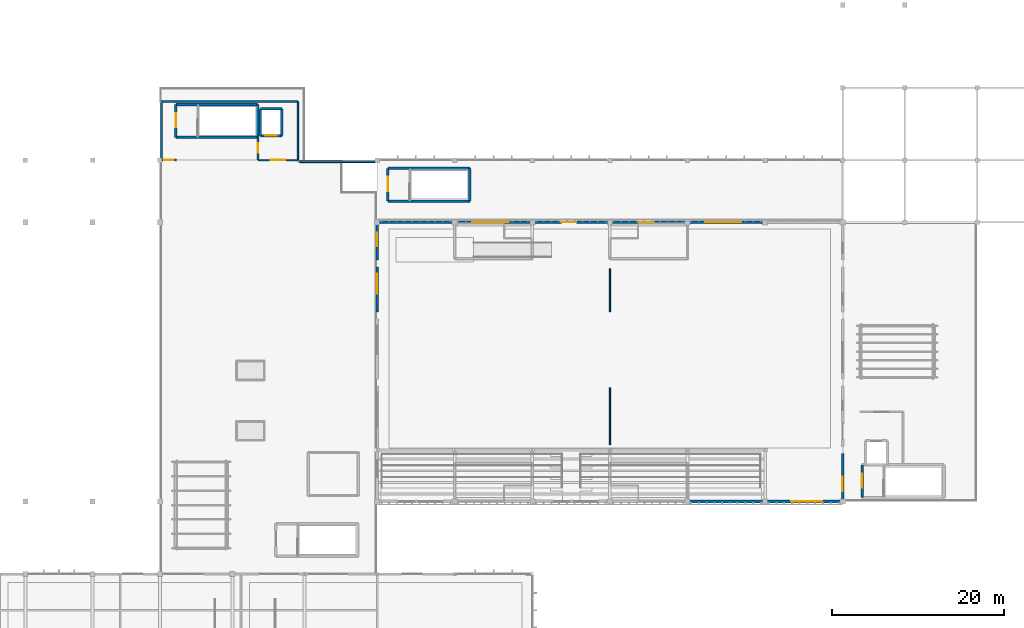
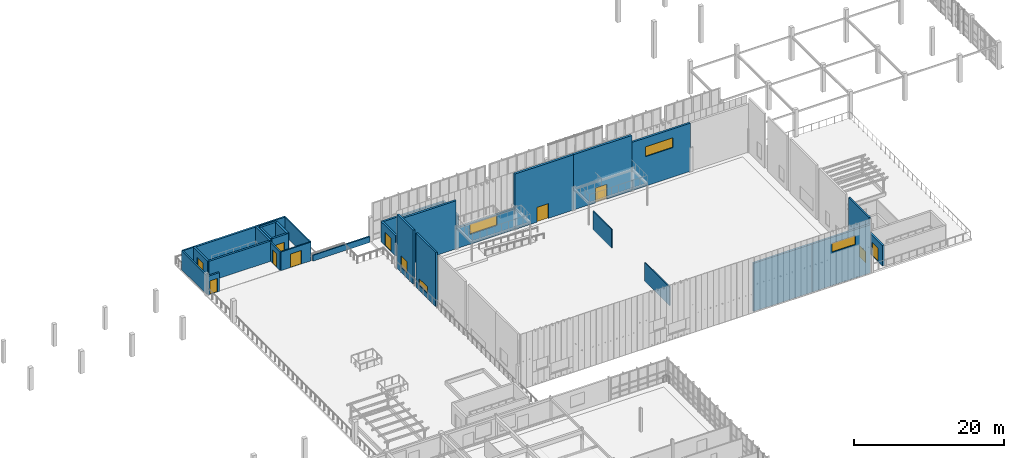
# One storey, part 46 of 67: 32 walls, 9 doors, 6 windows, 15 openings.
"""IFC4 building model written with IfcOpenShell, lengths in metres."""

from ifc_helpers import new_model, si_unit, direction, frame, frame_2d, origin, place, context, subcontext, project, spatial, rectangle, extrude, material, layer, layer_set, type_object, element, fill, save


model = new_model("IFC4")

# Units and contexts
model_context = context("Model", 3, precision=1e-05, world=origin(), true_north=direction((0.0, 1.0)))
body_context = subcontext(model_context, "Body", "Model", "MODEL_VIEW")
ifc_project = project(units=[si_unit("LENGTHUNIT", "METRE"), si_unit("AREAUNIT", "SQUARE_METRE"), si_unit("VOLUMEUNIT", "CUBIC_METRE"), si_unit("PLANEANGLEUNIT", "RADIAN"), si_unit("MASSUNIT", "GRAM", prefix="KILO")], contexts=[model_context])

# Site, building, storey
site_placement = place(None, origin())
site = spatial("IfcSite", under=ifc_project, at=site_placement, CompositionType="ELEMENT")
building_placement = place(site_placement, origin())
building = spatial("IfcBuilding", under=site, at=building_placement, Name="Tizgana Railside Sports Hall", CompositionType="ELEMENT")
storey_placement = place(building_placement, frame((0.0, 0.0, 12.0)))
storey = spatial("IfcBuildingStorey", under=building, at=storey_placement, Name="L02", CompositionType="ELEMENT", Elevation=12.0)

# Walls
ifc_material_1 = material(Name="Concrete C40/50", Category="concrete")
ifc_layer_1 = layer(ifc_material_1, 0.300048828125, Name="Concrete C40/50")
ifc_layer_set_1 = layer_set([ifc_layer_1], Name="Concrete C40/50")
wall_type_1 = type_object("IfcWallType", Name="Core Shear Wall 300", PredefinedType="SHEAR", material=ifc_layer_set_1)
for number, where, z_axis, x_axis, name in (
    (1, (65.949951171875, 83.050048828125, 0.0), (0.0, 0.0, 1.0), (-1.0, 0.0, 0.0), "L02 C4 Shaft Wall S"),
    (2, (56.449951171875, 86.85009765625, 0.0), (0.0, 0.0, 1.0), (1.0, 0.0, 0.0), "L02 C4 Shaft Wall N"),
):
    element("IfcWall", number, at=place(storey_placement, frame(where, z_axis=z_axis, x_axis=x_axis)), inside=storey, type_object=wall_type_1, Name=name, PredefinedType="SHEAR", context=body_context, shape_type="SweptSolid", body=[
        extrude(rectangle(XDim=9.5, YDim=0.300048828125, at=frame_2d((4.75, 0.0))), origin(), (0.0, 0.0, 1.0), 3.300048828125),
    ])

# Wall, opening, door
wall_1_placement = place(storey_placement, frame((56.449951171875, 83.050048828125, 0.0), z_axis=(0.0, 0.0, 1.0), x_axis=(0.0, 1.0, 0.0)))
wall_1 = element("IfcWall", 3, at=wall_1_placement, inside=storey, type_object=wall_type_1, Name="L02 C4 Shaft Wall W", PredefinedType="SHEAR", context=body_context, shape_type="SweptSolid", body=[
    extrude(rectangle(XDim=3.800048828125, YDim=0.300048828125, at=frame_2d((1.89990234375, 0.0))), origin(), (0.0, 0.0, 1.0), 3.300048828125),
])
opening_1_placement = place(wall_1_placement, frame((1.14990234375, 0.0, 0.0)))
opening_1 = element("IfcOpeningElement", 4, at=opening_1_placement, cuts=wall_1, Name="Opening D-0074", PredefinedType="OPENING", context=body_context, shape_type="SweptSolid", body=[
    extrude(rectangle(XDim=1.64990234375, YDim=2.199951171875, at=frame_2d((0.824951171875, 1.10009765625))), frame((0.0, 0.159912109375, 0.0), z_axis=(0.0, -1.0, 0.0), x_axis=(1.0, 0.0, 0.0)), (0.0, 0.0, 1.0), 0.320068359375),
])
ifc_material_2 = material(Name="Timber fire leaf", Category="wood")
door_type_1 = type_object("IfcDoorType", Name="Stair Core Double Fire Door 1650x2200", OperationType="NOTDEFINED", PredefinedType="DOOR", material=ifc_material_2)
door_1_placement = place(opening_1_placement, origin())
door_1 = element("IfcDoor", 5, at=door_1_placement, inside=storey, type_object=door_type_1, Name="L02 Door D-0074", OperationType="DOUBLE_DOOR_SINGLE_SWING", OverallHeight=2.199951171875, OverallWidth=1.64990234375, PredefinedType="DOOR", context=body_context, shape_type="SweptSolid", body=[
    extrude(rectangle(XDim=1.64990234375, YDim=2.199951171875, at=frame_2d((0.824951171875, 1.10009765625))), frame((0.0, 0.02490234375, 0.0), z_axis=(0.0, -1.0, 0.0), x_axis=(1.0, 0.0, 0.0)), (0.0, 0.0, 1.0), 0.050048828125),
])
fill(opening_1, door_1)

# Wall
wall_2_placement = place(storey_placement, frame((65.949951171875, 83.050048828125, 0.0), z_axis=(0.0, 0.0, 1.0), x_axis=(0.0, 1.0, 0.0)))
element("IfcWall", 6, at=wall_2_placement, inside=storey, type_object=wall_type_1, Name="L02 C4 Shaft Wall E", PredefinedType="SHEAR", context=body_context, shape_type="SweptSolid", body=[
    extrude(rectangle(XDim=3.800048828125, YDim=0.300048828125, at=frame_2d((1.89990234375, 0.0))), origin(), (0.0, 0.0, 1.0), 3.300048828125),
])

# Wall, opening, door
wall_3_placement = place(storey_placement, frame((66.25, 83.25, 0.0), z_axis=(0.0, 0.0, 1.0), x_axis=(1.0, 0.0, 0.0)))
wall_3 = element("IfcWall", 7, at=wall_3_placement, inside=storey, type_object=wall_type_1, Name="L02 LF-02 Shaft Wall S", PredefinedType="SHEAR", context=body_context, shape_type="SweptSolid", body=[
    extrude(rectangle(XDim=2.5, YDim=0.300048828125, at=frame_2d((1.25, 0.0))), origin(), (0.0, 0.0, 1.0), 3.39990234375),
])
opening_2_placement = place(wall_3_placement, frame((0.60009765625, 0.0, 0.0)))
opening_2 = element("IfcOpeningElement", 8, at=opening_2_placement, cuts=wall_3, Name="Opening D-0078", PredefinedType="OPENING", context=body_context, shape_type="SweptSolid", body=[
    extrude(rectangle(XDim=1.300048828125, YDim=2.199951171875, at=frame_2d((0.64990234375, 1.10009765625))), frame((0.0, 0.159912109375, 0.0), z_axis=(0.0, -1.0, 0.0), x_axis=(1.0, 0.0, 0.0)), (0.0, 0.0, 1.0), 0.320068359375),
])
ifc_material_3 = material(Name="Brushed stainless steel", Category="steel")
door_type_2 = type_object("IfcDoorType", Name="Stretcher Lift Sliding Door 1300x2200", OperationType="NOTDEFINED", PredefinedType="DOOR", material=ifc_material_3)
door_2_placement = place(opening_2_placement, origin())
door_2 = element("IfcDoor", 9, at=door_2_placement, inside=storey, type_object=door_type_2, Name="L02 Door D-0078", OperationType="DOUBLE_DOOR_SLIDING", OverallHeight=2.199951171875, OverallWidth=1.300048828125, PredefinedType="DOOR", context=body_context, shape_type="SweptSolid", body=[
    extrude(rectangle(XDim=1.300048828125, YDim=2.199951171875, at=frame_2d((0.64990234375, 1.10009765625))), frame((0.0, 0.02490234375, 0.0), z_axis=(0.0, -1.0, 0.0), x_axis=(1.0, 0.0, 0.0)), (0.0, 0.0, 1.0), 0.050048828125),
])
fill(opening_2, door_2)

# Walls
wall_4_placement = place(storey_placement, frame((66.25, 86.35009765625, 0.0), z_axis=(0.0, 0.0, 1.0), x_axis=(1.0, 0.0, 0.0)))
element("IfcWall", 10, at=wall_4_placement, inside=storey, type_object=wall_type_1, Name="L02 LF-02 Shaft Wall N", PredefinedType="SHEAR", context=body_context, shape_type="SweptSolid", body=[
    extrude(rectangle(XDim=2.5, YDim=0.300048828125, at=frame_2d((1.25, 0.0))), origin(), (0.0, 0.0, 1.0), 3.39990234375),
])
for number, where, z_axis, x_axis, name in (
    (11, (66.25, 83.25, 0.0), (0.0, 0.0, 1.0), (0.0, 1.0, 0.0), "L02 LF-02 Shaft Wall W"),
    (12, (68.75, 83.25, 0.0), (0.0, 0.0, 1.0), (0.0, 1.0, 0.0), "L02 LF-02 Shaft Wall E"),
):
    element("IfcWall", number, at=place(storey_placement, frame(where, z_axis=z_axis, x_axis=x_axis)), inside=storey, type_object=wall_type_1, Name=name, PredefinedType="SHEAR", context=body_context, shape_type="SweptSolid", body=[
        extrude(rectangle(XDim=3.10009765625, YDim=0.300048828125, at=frame_2d((1.550048828125, 0.0))), origin(), (0.0, 0.0, 1.0), 3.39990234375),
    ])

# Wall, opening, door
wall_5_placement = place(storey_placement, frame((136.050048828125, 41.25, 0.0), z_axis=(0.0, 0.0, 1.0), x_axis=(0.0, 1.0, 0.0)))
wall_5 = element("IfcWall", 13, at=wall_5_placement, inside=storey, type_object=wall_type_1, Name="L02 C5 Shaft Wall W", PredefinedType="SHEAR", context=body_context, shape_type="SweptSolid", body=[
    extrude(rectangle(XDim=3.800048828125, YDim=0.300048828125, at=frame_2d((1.89990234375, 0.0))), origin(), (0.0, 0.0, 1.0), 3.300048828125),
])
opening_3_placement = place(wall_5_placement, frame((1.14990234375, 0.0, 0.0)))
opening_3 = element("IfcOpeningElement", 14, at=opening_3_placement, cuts=wall_5, Name="Opening D-0082", PredefinedType="OPENING", context=body_context, shape_type="SweptSolid", body=[
    extrude(rectangle(XDim=1.64990234375, YDim=2.199951171875, at=frame_2d((0.824951171875, 1.10009765625))), frame((0.0, 0.159912109375, 0.0), z_axis=(0.0, -1.0, 0.0), x_axis=(1.0, 0.0, 0.0)), (0.0, 0.0, 1.0), 0.320068359375),
])
door_3_placement = place(opening_3_placement, origin())
door_3 = element("IfcDoor", 15, at=door_3_placement, inside=storey, type_object=door_type_1, Name="L02 Door D-0082", OperationType="DOUBLE_DOOR_SINGLE_SWING", OverallHeight=2.199951171875, OverallWidth=1.64990234375, PredefinedType="DOOR", context=body_context, shape_type="SweptSolid", body=[
    extrude(rectangle(XDim=1.64990234375, YDim=2.199951171875, at=frame_2d((0.824951171875, 1.10009765625))), frame((0.0, 0.02490234375, 0.0), z_axis=(0.0, -1.0, 0.0), x_axis=(1.0, 0.0, 0.0)), (0.0, 0.0, 1.0), 0.050048828125),
])
fill(opening_3, door_3)

# Walls
for number, where, z_axis, x_axis, name in (
    (16, (90.550048828125, 75.64990234375, 0.0), (0.0, 0.0, 1.0), (-1.0, 0.0, 0.0), "L02 C8 Shaft Wall S"),
    (17, (81.050048828125, 79.449951171875, 0.0), (0.0, 0.0, 1.0), (1.0, 0.0, 0.0), "L02 C8 Shaft Wall N"),
):
    element("IfcWall", number, at=place(storey_placement, frame(where, z_axis=z_axis, x_axis=x_axis)), inside=storey, type_object=wall_type_1, Name=name, PredefinedType="SHEAR", context=body_context, shape_type="SweptSolid", body=[
        extrude(rectangle(XDim=9.5, YDim=0.300048828125, at=frame_2d((4.75, 0.0))), origin(), (0.0, 0.0, 1.0), 3.300048828125),
    ])

# Wall, opening, door
wall_6_placement = place(storey_placement, frame((81.050048828125, 75.64990234375, 0.0), z_axis=(0.0, 0.0, 1.0), x_axis=(0.0, 1.0, 0.0)))
wall_6 = element("IfcWall", 18, at=wall_6_placement, inside=storey, type_object=wall_type_1, Name="L02 C8 Shaft Wall W", PredefinedType="SHEAR", context=body_context, shape_type="SweptSolid", body=[
    extrude(rectangle(XDim=3.800048828125, YDim=0.300048828125, at=frame_2d((1.89990234375, 0.0))), origin(), (0.0, 0.0, 1.0), 3.300048828125),
])
opening_4_placement = place(wall_6_placement, frame((1.14990234375, 0.0, 0.0)))
opening_4 = element("IfcOpeningElement", 19, at=opening_4_placement, cuts=wall_6, Name="Opening D-0096", PredefinedType="OPENING", context=body_context, shape_type="SweptSolid", body=[
    extrude(rectangle(XDim=1.64990234375, YDim=2.199951171875, at=frame_2d((0.824951171875, 1.10009765625))), frame((0.0, 0.159912109375, 0.0), z_axis=(0.0, -1.0, 0.0), x_axis=(1.0, 0.0, 0.0)), (0.0, 0.0, 1.0), 0.320068359375),
])
door_4_placement = place(opening_4_placement, origin())
door_4 = element("IfcDoor", 20, at=door_4_placement, inside=storey, type_object=door_type_1, Name="L02 Door D-0096", OperationType="DOUBLE_DOOR_SINGLE_SWING", OverallHeight=2.199951171875, OverallWidth=1.64990234375, PredefinedType="DOOR", context=body_context, shape_type="SweptSolid", body=[
    extrude(rectangle(XDim=1.64990234375, YDim=2.199951171875, at=frame_2d((0.824951171875, 1.10009765625))), frame((0.0, 0.02490234375, 0.0), z_axis=(0.0, -1.0, 0.0), x_axis=(1.0, 0.0, 0.0)), (0.0, 0.0, 1.0), 0.050048828125),
])
fill(opening_4, door_4)

# Walls
wall_7_placement = place(storey_placement, frame((90.550048828125, 75.64990234375, 0.0), z_axis=(0.0, 0.0, 1.0), x_axis=(0.0, 1.0, 0.0)))
element("IfcWall", 21, at=wall_7_placement, inside=storey, type_object=wall_type_1, Name="L02 C8 Shaft Wall E", PredefinedType="SHEAR", context=body_context, shape_type="SweptSolid", body=[
    extrude(rectangle(XDim=3.800048828125, YDim=0.300048828125, at=frame_2d((1.89990234375, 0.0))), origin(), (0.0, 0.0, 1.0), 3.300048828125),
])
ifc_material_4 = material(Name="Acoustic perforated timber", Category="wood")
ifc_layer_2 = layer(ifc_material_4, 0.139892578125, Name="Acoustic perforated timber")
ifc_layer_set_2 = layer_set([ifc_layer_2], Name="Acoustic perforated timber")
wall_type_2 = type_object("IfcWallType", Name="Court Acoustic Divider Wall 140", PredefinedType="MOVABLE", material=ifc_layer_set_2)
wall_8_placement = place(storey_placement, frame((106.800048828125, 47.39990234375, 0.0), z_axis=(0.0, 0.0, 1.0), x_axis=(0.0, 1.0, 0.0)))
element("IfcWall", 22, at=wall_8_placement, inside=storey, type_object=wall_type_2, Name="L02 Partition PWAL-0296", PredefinedType="MOVABLE", context=body_context, shape_type="SweptSolid", body=[
    extrude(rectangle(XDim=6.60009765625, YDim=0.139892578125, at=frame_2d((3.300048828125, 0.0))), origin(), (0.0, 0.0, 1.0), 3.050048828125),
])
wall_9_placement = place(storey_placement, frame((106.800048828125, 62.800048828125, 0.0), z_axis=(0.0, 0.0, 1.0), x_axis=(0.0, 1.0, 0.0)))
element("IfcWall", 23, at=wall_9_placement, inside=storey, type_object=wall_type_2, Name="L02 Partition PWAL-0297", PredefinedType="MOVABLE", context=body_context, shape_type="SweptSolid", body=[
    extrude(rectangle(XDim=5.0, YDim=0.139892578125, at=frame_2d((2.5, 0.0))), origin(), (0.0, 0.0, 1.0), 3.050048828125),
])
ifc_material_5 = material(Name="Precast concrete C40/50", Category="concrete")
ifc_layer_3 = layer(ifc_material_5, 0.31005859375, Name="Precast concrete C40/50")
ifc_layer_set_3 = layer_set([ifc_layer_3], Name="Precast concrete C40/50")
wall_type_3 = type_object("IfcWallType", Name="Exterior Acoustic Hall Wall 310", PredefinedType="STANDARD", material=ifc_layer_set_3)
wall_10_placement = place(storey_placement, frame((79.85009765625, 73.199951171875, 0.0), z_axis=(0.0, 0.0, 1.0), x_axis=(1.0, 0.0, 0.0)))
element("IfcWall", 24, at=wall_10_placement, inside=storey, type_object=wall_type_3, Name="L02 Exterior Wall EWAL-0030", PredefinedType="STANDARD", context=body_context, shape_type="SweptSolid", body=[
    extrude(rectangle(XDim=8.89990234375, YDim=0.31005859375, at=frame_2d((4.449951171875, 0.0))), origin(), (0.0, 0.0, 1.0), 7.8349609375),
])

# Wall, opening, window
wall_11_placement = place(storey_placement, frame((88.7548828125, 73.199951171875, 0.0), z_axis=(0.0, 0.0, 1.0), x_axis=(1.0, 0.0, 0.0)))
wall_11 = element("IfcWall", 25, at=wall_11_placement, inside=storey, type_object=wall_type_3, Name="L02 Exterior Wall EWAL-0035", PredefinedType="STANDARD", context=body_context, shape_type="SweptSolid", body=[
    extrude(rectangle(XDim=8.9951171875, YDim=0.31005859375, at=frame_2d((4.49755859375, 0.0))), origin(), (0.0, 0.0, 1.0), 3.375),
])
opening_5_placement = place(wall_11_placement, frame((2.094970703125, 0.0, 1.625)))
opening_5 = element("IfcOpeningElement", 26, at=opening_5_placement, cuts=wall_11, Name="Opening W-0027", PredefinedType="OPENING", context=body_context, shape_type="SweptSolid", body=[
    extrude(rectangle(XDim=4.199951171875, YDim=1.60009765625, at=frame_2d((2.10009765625, 0.800048828125))), frame((0.0, 0.1650390625, 0.0), z_axis=(0.0, -1.0, 0.0), x_axis=(1.0, 0.0, 0.0)), (0.0, 0.0, 1.0), 0.330078125),
])
ifc_material_6 = material(Name="Double low-E laminated glass", Category="glass")
window_type_1 = type_object("IfcWindowType", Name="North Court Clerestory Window 4200x1600", PartitioningType="SINGLE_PANEL", PredefinedType="WINDOW", material=ifc_material_6)
window_1_placement = place(opening_5_placement, origin())
window_1 = element("IfcWindow", 27, at=window_1_placement, inside=storey, type_object=window_type_1, Name="L02 Window W-0027", OverallHeight=1.60009765625, OverallWidth=4.199951171875, PartitioningType="SINGLE_PANEL", PredefinedType="WINDOW", context=body_context, shape_type="SweptSolid", body=[
    extrude(rectangle(XDim=4.199951171875, YDim=1.60009765625, at=frame_2d((2.10009765625, 0.800048828125))), frame((0.0, 0.030029296875, 0.0), z_axis=(0.0, -1.0, 0.0), x_axis=(1.0, 0.0, 0.0)), (0.0, 0.0, 1.0), 0.06005859375),
])
fill(opening_5, window_1)

# Wall
wall_12_placement = place(storey_placement, frame((124.75, 40.800048828125, 0.0), z_axis=(0.0, 0.0, 1.0), x_axis=(-1.0, 0.0, 0.0)))
element("IfcWall", 28, at=wall_12_placement, inside=storey, type_object=wall_type_3, Name="L02 Exterior Wall EWAL-0047", PredefinedType="STANDARD", context=body_context, shape_type="SweptSolid", body=[
    extrude(rectangle(XDim=8.9951171875, YDim=0.31005859375, at=frame_2d((4.49755859375, 0.0))), origin(), (0.0, 0.0, 1.0), 7.8349609375),
])

# Wall, opening, window
wall_13_placement = place(storey_placement, frame((115.7548828125, 73.199951171875, 0.0), z_axis=(0.0, 0.0, 1.0), x_axis=(1.0, 0.0, 0.0)))
wall_13 = element("IfcWall", 29, at=wall_13_placement, inside=storey, type_object=wall_type_3, Name="L02 Exterior Wall EWAL-0048", PredefinedType="STANDARD", context=body_context, shape_type="SweptSolid", body=[
    extrude(rectangle(XDim=8.9951171875, YDim=0.31005859375, at=frame_2d((4.49755859375, 0.0))), origin(), (0.0, 0.0, 1.0), 7.8349609375),
])
opening_6_placement = place(wall_13_placement, frame((2.094970703125, 0.0, 4.800048828125)))
opening_6 = element("IfcOpeningElement", 30, at=opening_6_placement, cuts=wall_13, Name="Opening W-0036", PredefinedType="OPENING", context=body_context, shape_type="SweptSolid", body=[
    extrude(rectangle(XDim=4.199951171875, YDim=1.60009765625, at=frame_2d((2.10009765625, 0.800048828125))), frame((0.0, 0.1650390625, 0.0), z_axis=(0.0, -1.0, 0.0), x_axis=(1.0, 0.0, 0.0)), (0.0, 0.0, 1.0), 0.330078125),
])
window_2_placement = place(opening_6_placement, origin())
window_2 = element("IfcWindow", 31, at=window_2_placement, inside=storey, type_object=window_type_1, Name="L02 Window W-0036", OverallHeight=1.60009765625, OverallWidth=4.199951171875, PartitioningType="SINGLE_PANEL", PredefinedType="WINDOW", context=body_context, shape_type="SweptSolid", body=[
    extrude(rectangle(XDim=4.199951171875, YDim=1.60009765625, at=frame_2d((2.10009765625, 0.800048828125))), frame((0.0, 0.030029296875, 0.0), z_axis=(0.0, -1.0, 0.0), x_axis=(1.0, 0.0, 0.0)), (0.0, 0.0, 1.0), 0.06005859375),
])
fill(opening_6, window_2)

wall_14_placement = place(storey_placement, frame((133.75, 40.800048828125, 0.0), z_axis=(0.0, 0.0, 1.0), x_axis=(-1.0, 0.0, 0.0)))
wall_14 = element("IfcWall", 32, at=wall_14_placement, inside=storey, type_object=wall_type_3, Name="L02 Exterior Wall EWAL-0052", PredefinedType="STANDARD", context=body_context, shape_type="SweptSolid", body=[
    extrude(rectangle(XDim=8.9951171875, YDim=0.31005859375, at=frame_2d((4.49755859375, 0.0))), origin(), (0.0, 0.0, 1.0), 7.8349609375),
])
opening_7_placement = place(wall_14_placement, frame((2.300048828125, 0.0, 5.39990234375)))
opening_7 = element("IfcOpeningElement", 33, at=opening_7_placement, cuts=wall_14, Name="Opening W-0040", PredefinedType="OPENING", context=body_context, shape_type="SweptSolid", body=[
    extrude(rectangle(XDim=3.60009765625, YDim=1.5, at=frame_2d((1.800048828125, 0.75))), frame((0.0, 0.1650390625, 0.0), z_axis=(0.0, -1.0, 0.0), x_axis=(1.0, 0.0, 0.0)), (0.0, 0.0, 1.0), 0.330078125),
])
window_type_2 = type_object("IfcWindowType", Name="Gable Peak Clerestory Window 3600x1500", PartitioningType="SINGLE_PANEL", PredefinedType="WINDOW", material=ifc_material_6)
window_3_placement = place(opening_7_placement, origin())
window_3 = element("IfcWindow", 34, at=window_3_placement, inside=storey, type_object=window_type_2, Name="L02 Window W-0040", OverallHeight=1.5, OverallWidth=3.60009765625, PartitioningType="SINGLE_PANEL", PredefinedType="WINDOW", context=body_context, shape_type="SweptSolid", body=[
    extrude(rectangle(XDim=3.60009765625, YDim=1.5, at=frame_2d((1.800048828125, 0.75))), frame((0.0, 0.030029296875, 0.0), z_axis=(0.0, -1.0, 0.0), x_axis=(1.0, 0.0, 0.0)), (0.0, 0.0, 1.0), 0.06005859375),
])
fill(opening_7, window_3)

# Wall, opening, door
ifc_material_7 = material(Name="Concrete C35/45", Category="concrete")
ifc_layer_4 = layer(ifc_material_7, 0.340087890625, Name="Concrete C35/45")
ifc_layer_set_4 = layer_set([ifc_layer_4], Name="Concrete C35/45")
wall_type_4 = type_object("IfcWallType", Name="Exterior Insulated Concrete Wall 340", PredefinedType="STANDARD", material=ifc_layer_set_4)
wall_15_placement = place(storey_placement, frame((97.7548828125, 73.199951171875, 0.0), z_axis=(0.0, 0.0, 1.0), x_axis=(1.0, 0.0, 0.0)))
wall_15 = element("IfcWall", 35, at=wall_15_placement, inside=storey, type_object=wall_type_4, Name="L02 Exterior Wall EWAL-0039", PredefinedType="STANDARD", context=body_context, shape_type="SweptSolid", body=[
    extrude(rectangle(XDim=8.9951171875, YDim=0.340087890625, at=frame_2d((4.49755859375, 0.0))), origin(), (0.0, 0.0, 1.0), 9.0),
])
opening_8_placement = place(wall_15_placement, frame((3.39990234375, 0.0, 0.0)))
opening_8 = element("IfcOpeningElement", 36, at=opening_8_placement, cuts=wall_15, Name="Opening D-0011", PredefinedType="OPENING", context=body_context, shape_type="SweptSolid", body=[
    extrude(rectangle(XDim=1.75, YDim=2.39990234375, at=frame_2d((0.875, 1.199951171875))), frame((0.0, 0.179931640625, 0.0), z_axis=(0.0, -1.0, 0.0), x_axis=(1.0, 0.0, 0.0)), (0.0, 0.0, 1.0), 0.360107421875),
])
ifc_material_8 = material(Name="Galvanised steel sheet", Category="steel")
door_type_3 = type_object("IfcDoorType", Name="Equipment Store Double Fire Door 1750x2400", OperationType="NOTDEFINED", PredefinedType="DOOR", material=ifc_material_8)
door_5_placement = place(opening_8_placement, origin())
door_5 = element("IfcDoor", 37, at=door_5_placement, inside=storey, type_object=door_type_3, Name="L02 Door D-0011", OperationType="DOUBLE_DOOR_SINGLE_SWING", OverallHeight=2.39990234375, OverallWidth=1.75, PredefinedType="DOOR", context=body_context, shape_type="SweptSolid", body=[
    extrude(rectangle(XDim=1.75, YDim=2.39990234375, at=frame_2d((0.875, 1.199951171875))), frame((0.0, 0.02490234375, 0.0), z_axis=(0.0, -1.0, 0.0), x_axis=(1.0, 0.0, 0.0)), (0.0, 0.0, 1.0), 0.050048828125),
])
fill(opening_8, door_5)

wall_16_placement = place(storey_placement, frame((106.7548828125, 73.199951171875, 0.0), z_axis=(0.0, 0.0, 1.0), x_axis=(1.0, 0.0, 0.0)))
wall_16 = element("IfcWall", 38, at=wall_16_placement, inside=storey, type_object=wall_type_4, Name="L02 Exterior Wall EWAL-0044", PredefinedType="STANDARD", context=body_context, shape_type="SweptSolid", body=[
    extrude(rectangle(XDim=8.9951171875, YDim=0.340087890625, at=frame_2d((4.49755859375, 0.0))), origin(), (0.0, 0.0, 1.0), 9.0),
])
opening_9_placement = place(wall_16_placement, frame((3.39990234375, 0.0, 0.0)))
opening_9 = element("IfcOpeningElement", 39, at=opening_9_placement, cuts=wall_16, Name="Opening D-0013", PredefinedType="OPENING", context=body_context, shape_type="SweptSolid", body=[
    extrude(rectangle(XDim=1.75, YDim=2.39990234375, at=frame_2d((0.875, 1.199951171875))), frame((0.0, 0.179931640625, 0.0), z_axis=(0.0, -1.0, 0.0), x_axis=(1.0, 0.0, 0.0)), (0.0, 0.0, 1.0), 0.360107421875),
])
door_6_placement = place(opening_9_placement, origin())
door_6 = element("IfcDoor", 40, at=door_6_placement, inside=storey, type_object=door_type_3, Name="L02 Door D-0013", OperationType="DOUBLE_DOOR_SINGLE_SWING", OverallHeight=2.39990234375, OverallWidth=1.75, PredefinedType="DOOR", context=body_context, shape_type="SweptSolid", body=[
    extrude(rectangle(XDim=1.75, YDim=2.39990234375, at=frame_2d((0.875, 1.199951171875))), frame((0.0, 0.02490234375, 0.0), z_axis=(0.0, -1.0, 0.0), x_axis=(1.0, 0.0, 0.0)), (0.0, 0.0, 1.0), 0.050048828125),
])
fill(opening_9, door_6)

# Wall, opening, window
ifc_layer_5 = layer(ifc_material_5, 0.27001953125, Name="Precast concrete C40/50")
ifc_layer_set_5 = layer_set([ifc_layer_5], Name="Precast concrete C40/50")
wall_type_5 = type_object("IfcWallType", Name="Exterior Studio Facade Wall 270", PredefinedType="STANDARD", material=ifc_layer_set_5)
wall_17_placement = place(storey_placement, frame((133.800048828125, 40.9599609375, 0.0), z_axis=(0.0, 0.0, 1.0), x_axis=(0.0, 1.0, 0.0)))
wall_17 = element("IfcWall", 41, at=wall_17_placement, inside=storey, type_object=wall_type_5, Name="L02 Exterior Wall EWAL-0138", PredefinedType="STANDARD", context=body_context, shape_type="SweptSolid", body=[
    extrude(rectangle(XDim=5.43994140625, YDim=0.27001953125, at=frame_2d((2.719970703125, 0.0))), origin(), (0.0, 0.0, 1.0), 8.800048828125),
])
opening_10_placement = place(wall_17_placement, frame((1.0400390625, 0.0, 0.800048828125)))
opening_10 = element("IfcOpeningElement", 42, at=opening_10_placement, cuts=wall_17, Name="Opening W-0117", PredefinedType="OPENING", context=body_context, shape_type="SweptSolid", body=[
    extrude(rectangle(XDim=1.699951171875, YDim=1.800048828125, at=frame_2d((0.85009765625, 0.89990234375))), frame((0.0, 0.14501953125, 0.0), z_axis=(0.0, -1.0, 0.0), x_axis=(1.0, 0.0, 0.0)), (0.0, 0.0, 1.0), 0.2900390625),
])
window_type_3 = type_object("IfcWindowType", Name="Medical Lab Window 1700x1800", PartitioningType="SINGLE_PANEL", PredefinedType="WINDOW", material=ifc_material_6)
window_4_placement = place(opening_10_placement, origin())
window_4 = element("IfcWindow", 43, at=window_4_placement, inside=storey, type_object=window_type_3, Name="L02 Window W-0117", OverallHeight=1.800048828125, OverallWidth=1.699951171875, PartitioningType="SINGLE_PANEL", PredefinedType="WINDOW", context=body_context, shape_type="SweptSolid", body=[
    extrude(rectangle(XDim=1.699951171875, YDim=1.800048828125, at=frame_2d((0.85009765625, 0.89990234375))), frame((0.0, 0.030029296875, 0.0), z_axis=(0.0, -1.0, 0.0), x_axis=(1.0, 0.0, 0.0)), (0.0, 0.0, 1.0), 0.06005859375),
])
fill(opening_10, window_4)

wall_18_placement = place(storey_placement, frame((79.800048828125, 68.0, 0.0), z_axis=(0.0, 0.0, 1.0), x_axis=(0.0, -1.0, 0.0)))
wall_18 = element("IfcWall", 44, at=wall_18_placement, inside=storey, type_object=wall_type_5, Name="L02 Exterior Wall EWAL-0146", PredefinedType="STANDARD", context=body_context, shape_type="SweptSolid", body=[
    extrude(rectangle(XDim=5.199951171875, YDim=0.27001953125, at=frame_2d((2.60009765625, 0.0))), origin(), (0.0, 0.0, 1.0), 8.800048828125),
])
opening_11_placement = place(wall_18_placement, frame((0.800048828125, 0.0, 0.800048828125)))
opening_11 = element("IfcOpeningElement", 45, at=opening_11_placement, cuts=wall_18, Name="Opening W-0125", PredefinedType="OPENING", context=body_context, shape_type="SweptSolid", body=[
    extrude(rectangle(XDim=2.300048828125, YDim=1.10009765625, at=frame_2d((1.14990234375, 0.550048828125))), frame((0.0, 0.14501953125, 0.0), z_axis=(0.0, -1.0, 0.0), x_axis=(1.0, 0.0, 0.0)), (0.0, 0.0, 1.0), 0.2900390625),
])
window_type_4 = type_object("IfcWindowType", Name="Hydro Rehab High Window 2300x1100", PartitioningType="SINGLE_PANEL", PredefinedType="WINDOW", material=ifc_material_6)
window_5_placement = place(opening_11_placement, origin())
window_5 = element("IfcWindow", 46, at=window_5_placement, inside=storey, type_object=window_type_4, Name="L02 Window W-0125", OverallHeight=1.10009765625, OverallWidth=2.300048828125, PartitioningType="SINGLE_PANEL", PredefinedType="WINDOW", context=body_context, shape_type="SweptSolid", body=[
    extrude(rectangle(XDim=2.300048828125, YDim=1.10009765625, at=frame_2d((1.14990234375, 0.550048828125))), frame((0.0, 0.030029296875, 0.0), z_axis=(0.0, -1.0, 0.0), x_axis=(1.0, 0.0, 0.0)), (0.0, 0.0, 1.0), 0.06005859375),
])
fill(opening_11, window_5)

wall_19_placement = place(storey_placement, frame((79.800048828125, 73.0400390625, 0.0), z_axis=(0.0, 0.0, 1.0), x_axis=(0.0, -1.0, 0.0)))
wall_19 = element("IfcWall", 47, at=wall_19_placement, inside=storey, type_object=wall_type_5, Name="L02 Exterior Wall EWAL-0147", PredefinedType="STANDARD", context=body_context, shape_type="SweptSolid", body=[
    extrude(rectangle(XDim=4.239990234375, YDim=0.27001953125, at=frame_2d((2.1201171875, 0.0))), origin(), (0.0, 0.0, 1.0), 8.800048828125),
])
opening_12_placement = place(wall_19_placement, frame((1.0400390625, 0.0, 0.800048828125)))
opening_12 = element("IfcOpeningElement", 48, at=opening_12_placement, cuts=wall_19, Name="Opening W-0126", PredefinedType="OPENING", context=body_context, shape_type="SweptSolid", body=[
    extrude(rectangle(XDim=1.60009765625, YDim=1.89990234375, at=frame_2d((0.800048828125, 0.949951171875))), frame((0.0, 0.14501953125, 0.0), z_axis=(0.0, -1.0, 0.0), x_axis=(1.0, 0.0, 0.0)), (0.0, 0.0, 1.0), 0.2900390625),
])
window_type_5 = type_object("IfcWindowType", Name="Clinic Operable Window 1600x1900", PartitioningType="SINGLE_PANEL", PredefinedType="WINDOW", material=ifc_material_6)
window_6_placement = place(opening_12_placement, origin())
window_6 = element("IfcWindow", 49, at=window_6_placement, inside=storey, type_object=window_type_5, Name="L02 Window W-0126", OverallHeight=1.89990234375, OverallWidth=1.60009765625, PartitioningType="SINGLE_PANEL", PredefinedType="WINDOW", context=body_context, shape_type="SweptSolid", body=[
    extrude(rectangle(XDim=1.60009765625, YDim=1.89990234375, at=frame_2d((0.800048828125, 0.949951171875))), frame((0.0, 0.030029296875, 0.0), z_axis=(0.0, -1.0, 0.0), x_axis=(1.0, 0.0, 0.0)), (0.0, 0.0, 1.0), 0.06005859375),
])
fill(opening_12, window_6)

# Wall, opening, door
ifc_layer_6 = layer(ifc_material_7, 0.239990234375, Name="Concrete C35/45")
ifc_layer_set_6 = layer_set([ifc_layer_6], Name="Concrete C35/45")
wall_type_6 = type_object("IfcWallType", Name="Firefighting Lobby Wall 240", PredefinedType="STANDARD", material=ifc_layer_set_6)
wall_20_placement = place(storey_placement, frame((54.800048828125, 80.39990234375, 0.0), z_axis=(0.0, 0.0, 1.0), x_axis=(1.0, 0.0, 0.0)))
wall_20 = element("IfcWall", 50, at=wall_20_placement, inside=storey, type_object=wall_type_6, Name="L02 Partition PWAL-0325", PredefinedType="STANDARD", context=body_context, shape_type="SweptSolid", body=[
    extrude(rectangle(XDim=1.699951171875, YDim=0.239990234375, at=frame_2d((0.85009765625, 0.0))), origin(), (0.0, 0.0, 1.0), 3.050048828125),
])
opening_13_placement = place(wall_20_placement, frame((0.300048828125, 0.0, 0.0)))
opening_13 = element("IfcOpeningElement", 51, at=opening_13_placement, cuts=wall_20, Name="Opening D-0294", PredefinedType="OPENING", context=body_context, shape_type="SweptSolid", body=[
    extrude(rectangle(XDim=1.10009765625, YDim=2.199951171875, at=frame_2d((0.550048828125, 1.10009765625))), frame((0.0, 0.1298828125, 0.0), z_axis=(0.0, -1.0, 0.0), x_axis=(1.0, 0.0, 0.0)), (0.0, 0.0, 1.0), 0.260009765625),
])
door_type_4 = type_object("IfcDoorType", Name="Firefighting Lobby Fire Door 1100x2200", OperationType="NOTDEFINED", PredefinedType="DOOR", material=ifc_material_2)
door_7_placement = place(opening_13_placement, origin())
door_7 = element("IfcDoor", 52, at=door_7_placement, inside=storey, type_object=door_type_4, Name="L02 Door D-0294", OperationType="SINGLE_SWING_RIGHT", OverallHeight=2.199951171875, OverallWidth=1.10009765625, PredefinedType="DOOR", context=body_context, shape_type="SweptSolid", body=[
    extrude(rectangle(XDim=1.10009765625, YDim=2.199951171875, at=frame_2d((0.550048828125, 1.10009765625))), frame((0.0, 0.02490234375, 0.0), z_axis=(0.0, -1.0, 0.0), x_axis=(1.0, 0.0, 0.0)), (0.0, 0.0, 1.0), 0.050048828125),
])
fill(opening_13, door_7)

# Walls
wall_21_placement = place(storey_placement, frame((54.800048828125, 80.39990234375, 0.0), z_axis=(0.0, 0.0, 1.0), x_axis=(0.0, 1.0, 0.0)))
element("IfcWall", 53, at=wall_21_placement, inside=storey, type_object=wall_type_6, Name="L02 Partition PWAL-0326", PredefinedType="STANDARD", context=body_context, shape_type="SweptSolid", body=[
    extrude(rectangle(XDim=6.800048828125, YDim=0.239990234375, at=frame_2d((3.39990234375, 0.0))), origin(), (0.0, 0.0, 1.0), 3.050048828125),
])
wall_22_placement = place(storey_placement, frame((54.800048828125, 87.199951171875, 0.0), z_axis=(0.0, 0.0, 1.0), x_axis=(1.0, 0.0, 0.0)))
element("IfcWall", 54, at=wall_22_placement, inside=storey, type_object=wall_type_6, Name="L02 Partition PWAL-0327", PredefinedType="STANDARD", context=body_context, shape_type="SweptSolid", body=[
    extrude(rectangle(XDim=15.800048828125, YDim=0.239990234375, at=frame_2d((7.89990234375, 0.0))), origin(), (0.0, 0.0, 1.0), 3.050048828125),
])

# Wall, opening, door
wall_23_placement = place(storey_placement, frame((66.0, 80.39990234375, 0.0), z_axis=(0.0, 0.0, 1.0), x_axis=(0.0, 1.0, 0.0)))
wall_23 = element("IfcWall", 55, at=wall_23_placement, inside=storey, type_object=wall_type_6, Name="L02 Partition PWAL-0328", PredefinedType="STANDARD", context=body_context, shape_type="SweptSolid", body=[
    extrude(rectangle(XDim=2.84521484375, YDim=0.239990234375, at=frame_2d((1.422607421875, 0.0))), origin(), (0.0, 0.0, 1.0), 3.050048828125),
])
opening_14_placement = place(wall_23_placement, frame((0.85009765625, 0.0, 0.0)))
opening_14 = element("IfcOpeningElement", 56, at=opening_14_placement, cuts=wall_23, Name="Opening D-0295", PredefinedType="OPENING", context=body_context, shape_type="SweptSolid", body=[
    extrude(rectangle(XDim=1.10009765625, YDim=2.199951171875, at=frame_2d((0.550048828125, 1.10009765625))), frame((0.0, 0.1298828125, 0.0), z_axis=(0.0, -1.0, 0.0), x_axis=(1.0, 0.0, 0.0)), (0.0, 0.0, 1.0), 0.260009765625),
])
door_8_placement = place(opening_14_placement, origin())
door_8 = element("IfcDoor", 57, at=door_8_placement, inside=storey, type_object=door_type_4, Name="L02 Door D-0295", OperationType="SINGLE_SWING_LEFT", OverallHeight=2.199951171875, OverallWidth=1.10009765625, PredefinedType="DOOR", context=body_context, shape_type="SweptSolid", body=[
    extrude(rectangle(XDim=1.10009765625, YDim=2.199951171875, at=frame_2d((0.550048828125, 1.10009765625))), frame((0.0, 0.02490234375, 0.0), z_axis=(0.0, -1.0, 0.0), x_axis=(1.0, 0.0, 0.0)), (0.0, 0.0, 1.0), 0.050048828125),
])
fill(opening_14, door_8)

# Wall
ifc_material_9 = material(Name="Masonry blockwork", Category="masonry")
ifc_layer_7 = layer(ifc_material_9, 0.179931640625, Name="Masonry blockwork")
ifc_layer_set_7 = layer_set([ifc_layer_7], Name="Masonry blockwork")
wall_type_7 = type_object("IfcWallType", Name="Riser and Shaft Wall 180", PredefinedType="STANDARD", material=ifc_layer_set_7)
wall_24_placement = place(storey_placement, frame((70.60009765625, 80.39990234375, 0.0), z_axis=(0.0, 0.0, 1.0), x_axis=(0.0, 1.0, 0.0)))
element("IfcWall", 58, at=wall_24_placement, inside=storey, type_object=wall_type_7, Name="L02 Partition PWAL-0329", PredefinedType="STANDARD", context=body_context, shape_type="SweptSolid", body=[
    extrude(rectangle(XDim=6.800048828125, YDim=0.179931640625, at=frame_2d((3.39990234375, 0.0))), origin(), (0.0, 0.0, 1.0), 3.050048828125),
])

# Wall, opening, door
wall_25_placement = place(storey_placement, frame((66.0, 80.39990234375, 0.0), z_axis=(0.0, 0.0, 1.0), x_axis=(1.0, 0.0, 0.0)))
wall_25 = element("IfcWall", 59, at=wall_25_placement, inside=storey, type_object=wall_type_7, Name="L02 Partition PWAL-0330", PredefinedType="STANDARD", context=body_context, shape_type="SweptSolid", body=[
    extrude(rectangle(XDim=4.60009765625, YDim=0.179931640625, at=frame_2d((2.300048828125, 0.0))), origin(), (0.0, 0.0, 1.0), 3.050048828125),
])
opening_15_placement = place(wall_25_placement, frame((1.47509765625, 0.0, 0.0)))
opening_15 = element("IfcOpeningElement", 60, at=opening_15_placement, cuts=wall_25, Name="Opening D-0296", PredefinedType="OPENING", context=body_context, shape_type="SweptSolid", body=[
    extrude(rectangle(XDim=1.64990234375, YDim=2.199951171875, at=frame_2d((0.824951171875, 1.10009765625))), frame((0.0, 0.099853515625, 0.0), z_axis=(0.0, -1.0, 0.0), x_axis=(1.0, 0.0, 0.0)), (0.0, 0.0, 1.0), 0.199951171875),
])
door_9_placement = place(opening_15_placement, origin())
door_9 = element("IfcDoor", 61, at=door_9_placement, inside=storey, type_object=door_type_1, Name="L02 Door D-0296", OperationType="DOUBLE_DOOR_SINGLE_SWING", OverallHeight=2.199951171875, OverallWidth=1.64990234375, PredefinedType="DOOR", context=body_context, shape_type="SweptSolid", body=[
    extrude(rectangle(XDim=1.64990234375, YDim=2.199951171875, at=frame_2d((0.824951171875, 1.10009765625))), frame((0.0, 0.02490234375, 0.0), z_axis=(0.0, -1.0, 0.0), x_axis=(1.0, 0.0, 0.0)), (0.0, 0.0, 1.0), 0.050048828125),
])
fill(opening_15, door_9)

# Wall
ifc_layer_8 = layer(ifc_material_7, 0.2099609375, Name="Concrete C35/45")
ifc_layer_set_8 = layer_set([ifc_layer_8], Name="Concrete C35/45")
wall_type_8 = type_object("IfcWallType", Name="Roof Parapet Upstand 210", PredefinedType="PARAPET", material=ifc_layer_set_8)
wall_26_placement = place(storey_placement, frame((70.800048828125, 80.199951171875, 0.0), z_axis=(0.0, 0.0, 1.0), x_axis=(1.0, 0.0, 0.0)))
element("IfcWall", 62, at=wall_26_placement, inside=storey, type_object=wall_type_8, Name="L02 Parapet PAR-0005", PredefinedType="PARAPET", context=body_context, shape_type="SweptSolid", body=[
    extrude(rectangle(XDim=8.800048828125, YDim=0.2099609375, at=frame_2d((4.39990234375, 0.0))), origin(), (0.0, 0.0, 1.0), 0.949951171875),
])

save(model, "model.ifc")
